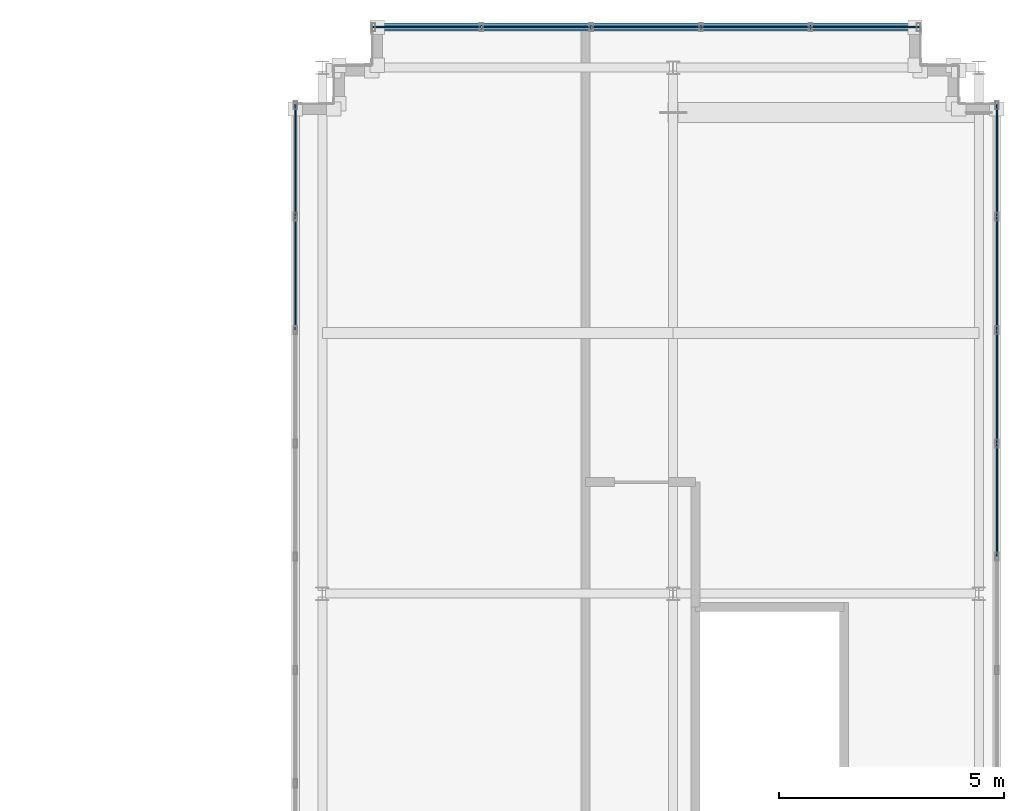
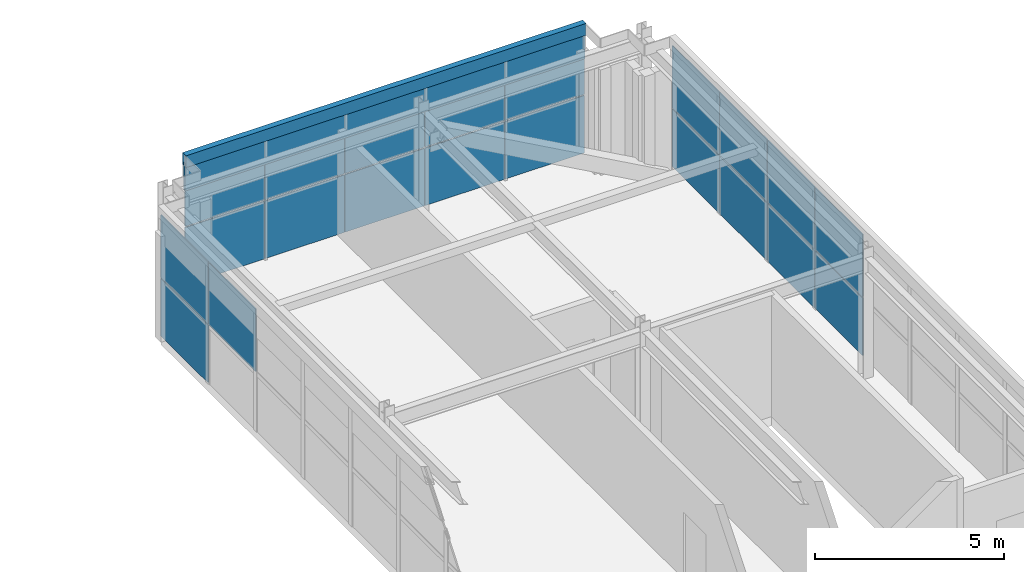
# One storey, part 20 of 25: 23 plates, 3 elements without a shape of their own.
"""IFC4 building model written with IfcOpenShell, lengths in metres."""

from ifc_helpers import new_model, si_unit, direction, frame, origin, origin_2d, place, context, subcontext, project, spatial, rectangle, extrude, source, transform, mapped, material, layer, layer_set, type_object, element, aggregate, save


model = new_model("IFC4")

# Units and contexts
model_context = context("Model", 3, precision=1e-05, world=origin(), true_north=direction((0.0, 1.0)))
body_context = subcontext(model_context, "Body", "Model", "MODEL_VIEW")
ifc_project = project(units=[si_unit("LENGTHUNIT", "METRE"), si_unit("AREAUNIT", "SQUARE_METRE"), si_unit("VOLUMEUNIT", "CUBIC_METRE"), si_unit("PLANEANGLEUNIT", "RADIAN"), si_unit("MASSUNIT", "GRAM", prefix="KILO")], contexts=[model_context])

# Site, building, storey
site_placement = place(None, origin())
site = spatial("IfcSite", under=ifc_project, at=site_placement, CompositionType="ELEMENT")
building_placement = place(site_placement, origin())
building = spatial("IfcBuilding", under=site, at=building_placement, Name="Trelvane Seafront Commons", CompositionType="ELEMENT")
storey_placement = place(building_placement, frame((0.0, 0.0, 320.89990234375)))
storey = spatial("IfcBuildingStorey", under=building, at=storey_placement, Name="L83", CompositionType="ELEMENT", Elevation=320.89990234375)

# Plate
ifc_material_1 = material(Name="Anodised pale-silver aluminium", Category="aluminium")
ifc_layer_1 = layer(ifc_material_1, 0.080078125, Name="ARCH-PLATE-LOUVRE")
ifc_layer_set_1 = layer_set([ifc_layer_1], Name="Anodised pale-silver aluminium")
plate_type_1 = type_object("IfcPlateType", Name="ARCH-PLATE-LOUVRE", PredefinedType="USERDEFINED", material=ifc_layer_set_1)
shared_shape_1 = source(origin(), body_context, "Body", "SweptSolid", [
    extrude(rectangle(XDim=12.199951171875, YDim=0.080078125, at=origin_2d()), origin(), (0.0, 0.0, 1.0), 0.889892578125),
])
plate_1_placement = place(storey_placement, frame((58.199951171875, 46.0, 3.05029296875), z_axis=(0.0, 0.0, 1.0), x_axis=(1.0, 0.0, 0.0)))
element("IfcPlate", 1, at=plate_1_placement, inside=storey, type_object=plate_type_1, Name="LOU-L83-054", ObjectType="LOUVRE", PredefinedType="USERDEFINED", context=body_context, shape_type="MappedRepresentation", body=[
    mapped(shared_shape_1, transform((0.0, 0.0, 0.0), x_axis=(1.0, 0.0, 0.0), y_axis=(0.0, 1.0, 0.0), z_axis=(0.0, 0.0, 1.0), scale=1.0)),
])

# Curtain wall, plate
curtain_wall_type = type_object("IfcCurtainWallType", Name="ARCH-CW6-CROWN", PredefinedType="NOTDEFINED", material=ifc_material_1)
curtain_wall_1_placement = place(storey_placement, origin())
curtain_wall_1 = element("IfcCurtainWall", 2, at=curtain_wall_1_placement, inside=storey, type_object=curtain_wall_type, Name="CW-L83-0164", PredefinedType="NOTDEFINED")
ifc_material_2 = material(Name="Low-E coastal double glazing", Category="glass")
ifc_layer_2 = layer(ifc_material_2, 0.033935546875, Name="ARCH-CW-GLAZ-34")
ifc_layer_set_2 = layer_set([ifc_layer_2], Name="Low-E coastal double glazing")
plate_type_2 = type_object("IfcPlateType", Name="ARCH-CW-GLAZ-34", PredefinedType="CURTAIN_PANEL", material=ifc_layer_set_2)
shared_shape_2 = source(origin(), body_context, "Body", "SweptSolid", [
    extrude(rectangle(XDim=2.49609375, YDim=0.031982421875, at=origin_2d()), origin(), (0.0, 0.0, 1.0), 1.85400390625),
])
plate_2_placement = place(storey_placement, frame((50.39990234375, 43.0400390625, 0.0), z_axis=(0.0, 0.0, 1.0), x_axis=(0.0, 1.0, 0.0)))
plate_2 = element("IfcPlate", 3, at=plate_2_placement, type_object=plate_type_2, Name="CW-L83-0164-P09-1", PredefinedType="CURTAIN_PANEL", context=body_context, shape_type="MappedRepresentation", body=[
    mapped(shared_shape_2, transform((0.0, 0.0, 0.0), x_axis=(1.0, 0.0, 0.0), y_axis=(0.0, 1.0, 0.0), z_axis=(0.0, 0.0, 1.0), scale=1.0)),
])

# Curtain wall, plates
curtain_wall_2_placement = place(storey_placement, origin())
curtain_wall_2 = element("IfcCurtainWall", 4, at=curtain_wall_2_placement, inside=storey, type_object=curtain_wall_type, Name="CW-L83-0166", PredefinedType="NOTDEFINED")
plate_3_placement = place(storey_placement, frame((66.0, 43.0400390625, 0.0), z_axis=(0.0, 0.0, 1.0), x_axis=(0.0, -1.0, 0.0)))
plate_3 = element("IfcPlate", 5, at=plate_3_placement, type_object=plate_type_2, Name="CW-L83-0166-P00-1", PredefinedType="CURTAIN_PANEL", context=body_context, shape_type="MappedRepresentation", body=[
    mapped(shared_shape_2, transform((0.0, 0.0, 0.0), x_axis=(1.0, 0.0, 0.0), y_axis=(0.0, 1.0, 0.0), z_axis=(0.0, 0.0, 1.0), scale=1.0)),
])
plate_4_placement = place(storey_placement, frame((66.0, 40.52001953125, 0.0), z_axis=(0.0, 0.0, 1.0), x_axis=(0.0, -1.0, 0.0)))
plate_4 = element("IfcPlate", 6, at=plate_4_placement, type_object=plate_type_2, Name="CW-L83-0166-P01-1", PredefinedType="CURTAIN_PANEL", context=body_context, shape_type="MappedRepresentation", body=[
    mapped(shared_shape_2, transform((0.0, 0.0, 0.0), x_axis=(1.0, 0.0, 0.0), y_axis=(0.0, 1.0, 0.0), z_axis=(0.0, 0.0, 1.0), scale=1.0)),
])
plate_5_placement = place(storey_placement, frame((66.0, 38.0, 0.0), z_axis=(0.0, 0.0, 1.0), x_axis=(0.0, -1.0, 0.0)))
plate_5 = element("IfcPlate", 7, at=plate_5_placement, type_object=plate_type_2, Name="CW-L83-0166-P02-1", PredefinedType="CURTAIN_PANEL", context=body_context, shape_type="MappedRepresentation", body=[
    mapped(shared_shape_2, transform((0.0, 0.0, 0.0), x_axis=(1.0, 0.0, 0.0), y_axis=(0.0, 1.0, 0.0), z_axis=(0.0, 0.0, 1.0), scale=1.0)),
])
plate_6_placement = place(storey_placement, frame((66.0, 35.47998046875, 0.0), z_axis=(0.0, 0.0, 1.0), x_axis=(0.0, -1.0, 0.0)))
plate_6 = element("IfcPlate", 8, at=plate_6_placement, type_object=plate_type_2, Name="CW-L83-0166-P03-1", PredefinedType="CURTAIN_PANEL", context=body_context, shape_type="MappedRepresentation", body=[
    mapped(shared_shape_2, transform((0.0, 0.0, 0.0), x_axis=(1.0, 0.0, 0.0), y_axis=(0.0, 1.0, 0.0), z_axis=(0.0, 0.0, 1.0), scale=1.0)),
])

# Plate
shared_shape_3 = source(origin(), body_context, "Body", "SweptSolid", [
    extrude(rectangle(XDim=2.49609375, YDim=0.031982421875, at=origin_2d()), origin(), (0.0, 0.0, 1.0), 2.010009765625),
])
plate_7_placement = place(storey_placement, frame((50.39990234375, 40.52001953125, 1.89013671875), z_axis=(0.0, 0.0, 1.0), x_axis=(0.0, 1.0, 0.0)))
plate_7 = element("IfcPlate", 9, at=plate_7_placement, type_object=plate_type_2, Name="CW-L83-0164-P08-2", PredefinedType="CURTAIN_PANEL", context=body_context, shape_type="MappedRepresentation", body=[
    mapped(shared_shape_3, transform((0.0, 0.0, 0.0), x_axis=(1.0, 0.0, 0.0), y_axis=(0.0, 1.0, 0.0), z_axis=(0.0, 0.0, 1.0), scale=1.0)),
])

plate_8_placement = place(storey_placement, frame((50.39990234375, 43.0400390625, 1.89013671875), z_axis=(0.0, 0.0, 1.0), x_axis=(0.0, 1.0, 0.0)))
plate_8 = element("IfcPlate", 10, at=plate_8_placement, type_object=plate_type_2, Name="CW-L83-0164-P09-2", PredefinedType="CURTAIN_PANEL", context=body_context, shape_type="MappedRepresentation", body=[
    mapped(shared_shape_3, transform((0.0, 0.0, 0.0), x_axis=(1.0, 0.0, 0.0), y_axis=(0.0, 1.0, 0.0), z_axis=(0.0, 0.0, 1.0), scale=1.0)),
])

aggregate(curtain_wall_1, [plate_7, plate_2, plate_8])

plate_9_placement = place(storey_placement, frame((66.0, 43.0400390625, 1.89013671875), z_axis=(0.0, 0.0, 1.0), x_axis=(0.0, -1.0, 0.0)))
plate_9 = element("IfcPlate", 11, at=plate_9_placement, type_object=plate_type_2, Name="CW-L83-0166-P00-2", PredefinedType="CURTAIN_PANEL", context=body_context, shape_type="MappedRepresentation", body=[
    mapped(shared_shape_3, transform((0.0, 0.0, 0.0), x_axis=(1.0, 0.0, 0.0), y_axis=(0.0, 1.0, 0.0), z_axis=(0.0, 0.0, 1.0), scale=1.0)),
])

plate_10_placement = place(storey_placement, frame((66.0, 40.52001953125, 1.89013671875), z_axis=(0.0, 0.0, 1.0), x_axis=(0.0, -1.0, 0.0)))
plate_10 = element("IfcPlate", 12, at=plate_10_placement, type_object=plate_type_2, Name="CW-L83-0166-P01-2", PredefinedType="CURTAIN_PANEL", context=body_context, shape_type="MappedRepresentation", body=[
    mapped(shared_shape_3, transform((0.0, 0.0, 0.0), x_axis=(1.0, 0.0, 0.0), y_axis=(0.0, 1.0, 0.0), z_axis=(0.0, 0.0, 1.0), scale=1.0)),
])

plate_11_placement = place(storey_placement, frame((66.0, 38.0, 1.89013671875), z_axis=(0.0, 0.0, 1.0), x_axis=(0.0, -1.0, 0.0)))
plate_11 = element("IfcPlate", 13, at=plate_11_placement, type_object=plate_type_2, Name="CW-L83-0166-P02-2", PredefinedType="CURTAIN_PANEL", context=body_context, shape_type="MappedRepresentation", body=[
    mapped(shared_shape_3, transform((0.0, 0.0, 0.0), x_axis=(1.0, 0.0, 0.0), y_axis=(0.0, 1.0, 0.0), z_axis=(0.0, 0.0, 1.0), scale=1.0)),
])

plate_12_placement = place(storey_placement, frame((66.0, 35.47998046875, 1.89013671875), z_axis=(0.0, 0.0, 1.0), x_axis=(0.0, -1.0, 0.0)))
plate_12 = element("IfcPlate", 14, at=plate_12_placement, type_object=plate_type_2, Name="CW-L83-0166-P03-2", PredefinedType="CURTAIN_PANEL", context=body_context, shape_type="MappedRepresentation", body=[
    mapped(shared_shape_3, transform((0.0, 0.0, 0.0), x_axis=(1.0, 0.0, 0.0), y_axis=(0.0, 1.0, 0.0), z_axis=(0.0, 0.0, 1.0), scale=1.0)),
])

aggregate(curtain_wall_2, [plate_3, plate_9, plate_4, plate_10, plate_5, plate_11, plate_6, plate_12])

# Curtain wall, plates
curtain_wall_3_placement = place(storey_placement, origin())
curtain_wall_3 = element("IfcCurtainWall", 15, at=curtain_wall_3_placement, inside=storey, type_object=curtain_wall_type, Name="CW-L83-0165", PredefinedType="NOTDEFINED")
shared_shape_4 = source(origin(), body_context, "Body", "SweptSolid", [
    extrude(rectangle(XDim=2.416015625, YDim=0.031982421875, at=origin_2d()), origin(), (0.0, 0.0, 1.0), 1.85400390625),
])
plate_13_placement = place(storey_placement, frame((53.320068359375, 46.0, 0.0), z_axis=(0.0, 0.0, 1.0), x_axis=(1.0, 0.0, 0.0)))
plate_13 = element("IfcPlate", 16, at=plate_13_placement, type_object=plate_type_2, Name="CW-L83-0165-P00-1", PredefinedType="CURTAIN_PANEL", context=body_context, shape_type="MappedRepresentation", body=[
    mapped(shared_shape_4, transform((0.0, 0.0, 0.0), x_axis=(1.0, 0.0, 0.0), y_axis=(0.0, 1.0, 0.0), z_axis=(0.0, 0.0, 1.0), scale=1.0)),
])
plate_14_placement = place(storey_placement, frame((55.760009765625, 46.0, 0.0), z_axis=(0.0, 0.0, 1.0), x_axis=(1.0, 0.0, 0.0)))
plate_14 = element("IfcPlate", 17, at=plate_14_placement, type_object=plate_type_2, Name="CW-L83-0165-P01-1", PredefinedType="CURTAIN_PANEL", context=body_context, shape_type="MappedRepresentation", body=[
    mapped(shared_shape_4, transform((0.0, 0.0, 0.0), x_axis=(1.0, 0.0, 0.0), y_axis=(0.0, 1.0, 0.0), z_axis=(0.0, 0.0, 1.0), scale=1.0)),
])
plate_15_placement = place(storey_placement, frame((58.199951171875, 46.0, 0.0), z_axis=(0.0, 0.0, 1.0), x_axis=(1.0, 0.0, 0.0)))
plate_15 = element("IfcPlate", 18, at=plate_15_placement, type_object=plate_type_2, Name="CW-L83-0165-P02-1", PredefinedType="CURTAIN_PANEL", context=body_context, shape_type="MappedRepresentation", body=[
    mapped(shared_shape_4, transform((0.0, 0.0, 0.0), x_axis=(1.0, 0.0, 0.0), y_axis=(0.0, 1.0, 0.0), z_axis=(0.0, 0.0, 1.0), scale=1.0)),
])
plate_16_placement = place(storey_placement, frame((60.639892578125, 46.0, 0.0), z_axis=(0.0, 0.0, 1.0), x_axis=(1.0, 0.0, 0.0)))
plate_16 = element("IfcPlate", 19, at=plate_16_placement, type_object=plate_type_2, Name="CW-L83-0165-P03-1", PredefinedType="CURTAIN_PANEL", context=body_context, shape_type="MappedRepresentation", body=[
    mapped(shared_shape_4, transform((0.0, 0.0, 0.0), x_axis=(1.0, 0.0, 0.0), y_axis=(0.0, 1.0, 0.0), z_axis=(0.0, 0.0, 1.0), scale=1.0)),
])
plate_17_placement = place(storey_placement, frame((63.080078125, 46.0, 0.0), z_axis=(0.0, 0.0, 1.0), x_axis=(1.0, 0.0, 0.0)))
plate_17 = element("IfcPlate", 20, at=plate_17_placement, type_object=plate_type_2, Name="CW-L83-0165-P04-1", PredefinedType="CURTAIN_PANEL", context=body_context, shape_type="MappedRepresentation", body=[
    mapped(shared_shape_4, transform((0.0, 0.0, 0.0), x_axis=(1.0, 0.0, 0.0), y_axis=(0.0, 1.0, 0.0), z_axis=(0.0, 0.0, 1.0), scale=1.0)),
])
shared_shape_5 = source(origin(), body_context, "Body", "SweptSolid", [
    extrude(rectangle(XDim=2.416015625, YDim=0.031982421875, at=origin_2d()), origin(), (0.0, 0.0, 1.0), 2.010009765625),
])
plate_18_placement = place(storey_placement, frame((53.320068359375, 46.0, 1.89013671875), z_axis=(0.0, 0.0, 1.0), x_axis=(1.0, 0.0, 0.0)))
plate_18 = element("IfcPlate", 21, at=plate_18_placement, type_object=plate_type_2, Name="CW-L83-0165-P00-2", PredefinedType="CURTAIN_PANEL", context=body_context, shape_type="MappedRepresentation", body=[
    mapped(shared_shape_5, transform((0.0, 0.0, 0.0), x_axis=(1.0, 0.0, 0.0), y_axis=(0.0, 1.0, 0.0), z_axis=(0.0, 0.0, 1.0), scale=1.0)),
])
plate_19_placement = place(storey_placement, frame((55.760009765625, 46.0, 1.89013671875), z_axis=(0.0, 0.0, 1.0), x_axis=(1.0, 0.0, 0.0)))
plate_19 = element("IfcPlate", 22, at=plate_19_placement, type_object=plate_type_2, Name="CW-L83-0165-P01-2", PredefinedType="CURTAIN_PANEL", context=body_context, shape_type="MappedRepresentation", body=[
    mapped(shared_shape_5, transform((0.0, 0.0, 0.0), x_axis=(1.0, 0.0, 0.0), y_axis=(0.0, 1.0, 0.0), z_axis=(0.0, 0.0, 1.0), scale=1.0)),
])
plate_20_placement = place(storey_placement, frame((58.199951171875, 46.0, 1.89013671875), z_axis=(0.0, 0.0, 1.0), x_axis=(1.0, 0.0, 0.0)))
plate_20 = element("IfcPlate", 23, at=plate_20_placement, type_object=plate_type_2, Name="CW-L83-0165-P02-2", PredefinedType="CURTAIN_PANEL", context=body_context, shape_type="MappedRepresentation", body=[
    mapped(shared_shape_5, transform((0.0, 0.0, 0.0), x_axis=(1.0, 0.0, 0.0), y_axis=(0.0, 1.0, 0.0), z_axis=(0.0, 0.0, 1.0), scale=1.0)),
])
plate_21_placement = place(storey_placement, frame((60.639892578125, 46.0, 1.89013671875), z_axis=(0.0, 0.0, 1.0), x_axis=(1.0, 0.0, 0.0)))
plate_21 = element("IfcPlate", 24, at=plate_21_placement, type_object=plate_type_2, Name="CW-L83-0165-P03-2", PredefinedType="CURTAIN_PANEL", context=body_context, shape_type="MappedRepresentation", body=[
    mapped(shared_shape_5, transform((0.0, 0.0, 0.0), x_axis=(1.0, 0.0, 0.0), y_axis=(0.0, 1.0, 0.0), z_axis=(0.0, 0.0, 1.0), scale=1.0)),
])
plate_22_placement = place(storey_placement, frame((63.080078125, 46.0, 1.89013671875), z_axis=(0.0, 0.0, 1.0), x_axis=(1.0, 0.0, 0.0)))
plate_22 = element("IfcPlate", 25, at=plate_22_placement, type_object=plate_type_2, Name="CW-L83-0165-P04-2", PredefinedType="CURTAIN_PANEL", context=body_context, shape_type="MappedRepresentation", body=[
    mapped(shared_shape_5, transform((0.0, 0.0, 0.0), x_axis=(1.0, 0.0, 0.0), y_axis=(0.0, 1.0, 0.0), z_axis=(0.0, 0.0, 1.0), scale=1.0)),
])
aggregate(curtain_wall_3, [plate_13, plate_18, plate_14, plate_19, plate_15, plate_20, plate_16, plate_21, plate_17, plate_22])

# Plate
ifc_layer_3 = layer(ifc_material_1, 0.179931640625, Name="ARCH-PLATE-AERO")
ifc_layer_set_3 = layer_set([ifc_layer_3], Name="Anodised pale-silver aluminium")
plate_type_3 = type_object("IfcPlateType", Name="ARCH-PLATE-AERO", PredefinedType="SHEET", material=ifc_layer_set_3)
shared_shape_6 = source(origin(), body_context, "Body", "SweptSolid", [
    extrude(rectangle(XDim=12.199951171875, YDim=0.179931640625, at=origin_2d()), origin(), (0.0, 0.0, 1.0), 0.3798828125),
])
plate_23_placement = place(storey_placement, frame((58.199951171875, 46.0, 3.840087890625), z_axis=(0.0, 0.0, 1.0), x_axis=(1.0, 0.0, 0.0)))
element("IfcPlate", 26, at=plate_23_placement, inside=storey, type_object=plate_type_3, Name="AER-L83-00311", PredefinedType="SHEET", context=body_context, shape_type="MappedRepresentation", body=[
    mapped(shared_shape_6, transform((0.0, 0.0, 0.0), x_axis=(1.0, 0.0, 0.0), y_axis=(0.0, 1.0, 0.0), z_axis=(0.0, 0.0, 1.0), scale=1.0)),
])

save(model, "model.ifc")
